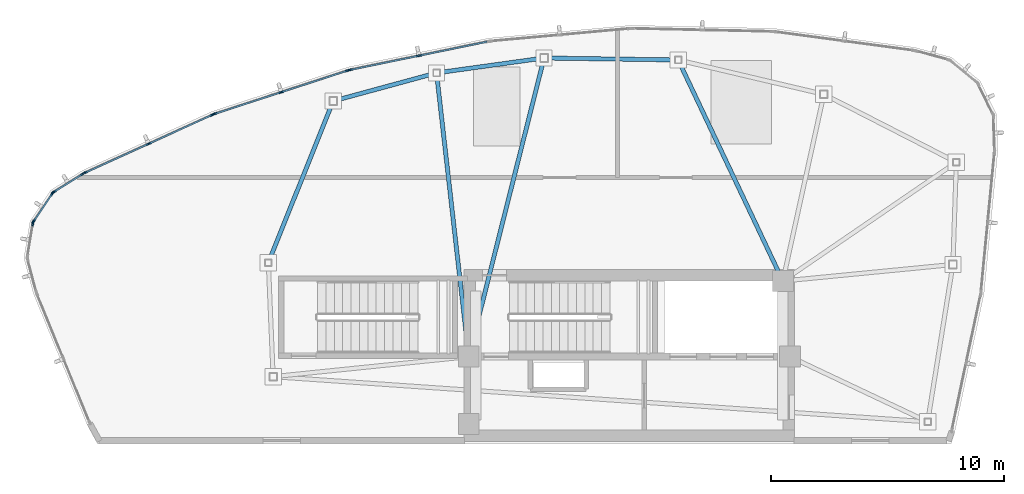
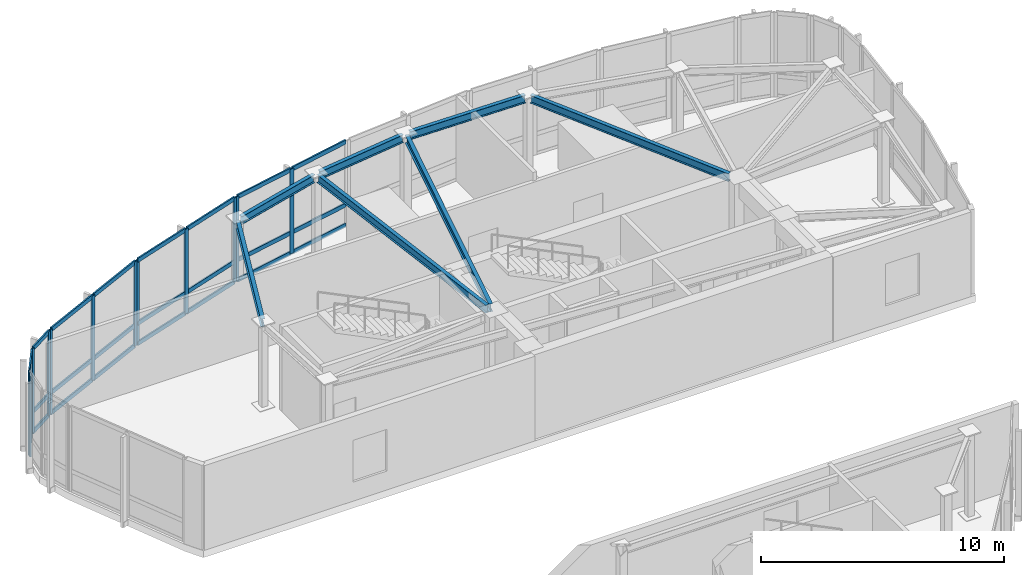
# One storey, part 6 of 16: 37 members, 7 beams, 6 elements without a shape of their own.
"""IFC4 building model written with IfcOpenShell, lengths in metres."""

from ifc_helpers import new_model, si_unit, direction, frame, origin, origin_2d, place, context, subcontext, project, spatial, hollow_rectangle, i_section, extrude, source, transform, mapped, material, layer, layer_set, material_profile, profile_set, type_object, type_shapes, element, aggregate, save


model = new_model("IFC4")

# Units and contexts
model_context = context("Model", 3, precision=1e-05, world=origin(), true_north=direction((0.0, 1.0)))
body_context = subcontext(model_context, "Body", "Model", "MODEL_VIEW")
ifc_project = project(units=[si_unit("LENGTHUNIT", "METRE"), si_unit("AREAUNIT", "SQUARE_METRE"), si_unit("VOLUMEUNIT", "CUBIC_METRE"), si_unit("PLANEANGLEUNIT", "RADIAN"), si_unit("MASSUNIT", "GRAM", prefix="KILO")], contexts=[model_context])

# Site, building, storey
site_placement = place(None, origin())
site = spatial("IfcSite", under=ifc_project, at=site_placement, CompositionType="ELEMENT")
building_placement = place(site_placement, origin())
building = spatial("IfcBuilding", under=site, at=building_placement, Name="Tavelor Broadcast Tower", CompositionType="ELEMENT")
storey_placement = place(building_placement, frame((0.0, 0.0, 336.699951171875)))
storey = spatial("IfcBuildingStorey", under=building, at=storey_placement, Name="L80", CompositionType="ELEMENT", Elevation=336.699951171875)

# Beams
ifc_material_1 = material(Name="Steel S355", Category="steel")
ifc_material_profile_1 = material_profile(ifc_material_1, i_section(OverallWidth=0.179931640625, OverallDepth=0.39990234375, WebThickness=0.008544921875, FlangeThickness=0.013427734375, at=origin_2d()), Name="IPE 400")
ifc_profile_set_1 = profile_set([ifc_material_profile_1], Name="Steel S355")
beam_type = type_object("IfcBeamType", Name="Crown Ring Spandrel Beam IPE400", PredefinedType="SPANDREL", material=ifc_profile_set_1)
beam_1_placement = place(storey_placement, frame((37.20654296875, 58.77197265625, 4.050048828125), z_axis=(-0.372319972441, -0.928104432767, 0.0), x_axis=(0.928104432767, -0.372319972441, 0.0)))
element("IfcBeam", 1, at=beam_1_placement, inside=storey, type_object=beam_type, Name="L80 Crown Peak A Ring Spandrel 1", PredefinedType="SPANDREL", context=body_context, shape_type="SweptSolid", body=[
    extrude(i_section(OverallWidth=0.179931640625, OverallDepth=0.39990234375, WebThickness=0.008544921875, FlangeThickness=0.013427734375, at=origin_2d()), origin(), (0.0, 0.0, 1.0), 7.1552734375),
])
beam_2_placement = place(storey_placement, frame((51.950927734375, 60.703857421875, 4.050048828125), z_axis=(-0.999890824975, 0.01477626921, 0.0), x_axis=(-0.01477626921, -0.999890824975, 0.0)))
element("IfcBeam", 2, at=beam_2_placement, inside=storey, type_object=beam_type, Name="L80 Crown Peak A Ring Spandrel 8", PredefinedType="SPANDREL", context=body_context, shape_type="SweptSolid", body=[
    extrude(i_section(OverallWidth=0.179931640625, OverallDepth=0.39990234375, WebThickness=0.008544921875, FlangeThickness=0.013427734375, at=origin_2d()), origin(), (0.0, 0.0, 1.0), 5.435791015625),
])
beam_3_placement = place(storey_placement, frame((56.415283203125, 51.590576171875, 4.050048828125), z_axis=(-0.427748000898, 0.903898029497, 0.0), x_axis=(-0.903898029497, -0.427748000898, 0.0)))
element("IfcBeam", 3, at=beam_3_placement, inside=storey, type_object=beam_type, Name="L80 Crown Peak A Radial Beam 8", PredefinedType="SPANDREL", context=body_context, shape_type="SweptSolid", body=[
    extrude(i_section(OverallWidth=0.179931640625, OverallDepth=0.39990234375, WebThickness=0.008544921875, FlangeThickness=0.013427734375, at=origin_2d()), origin(), (0.0, 0.0, 1.0), 9.926513671875),
])
beam_4_placement = place(storey_placement, frame((46.160400390625, 60.762451171875, 4.050048828125), z_axis=(-0.990512514029, -0.13742255838, 0.0), x_axis=(0.13742255838, -0.990512514029, 0.0)))
element("IfcBeam", 4, at=beam_4_placement, inside=storey, type_object=beam_type, Name="L80 Crown Peak A Ring Spandrel 9", PredefinedType="SPANDREL", context=body_context, shape_type="SweptSolid", body=[
    extrude(i_section(OverallWidth=0.179931640625, OverallDepth=0.39990234375, WebThickness=0.008544921875, FlangeThickness=0.013427734375, at=origin_2d()), origin(), (0.0, 0.0, 1.0), 4.334716796875),
])
beam_5_placement = place(storey_placement, frame((43.20556640625, 48.368896484375, 4.050048828125), z_axis=(0.244522996769, 0.969643493275, 0.0), x_axis=(-0.969643493275, 0.244522996769, 0.0)))
element("IfcBeam", 5, at=beam_5_placement, inside=storey, type_object=beam_type, Name="L80 Crown Peak A Radial Beam 9", PredefinedType="SPANDREL", context=body_context, shape_type="SweptSolid", body=[
    extrude(i_section(OverallWidth=0.179931640625, OverallDepth=0.39990234375, WebThickness=0.008544921875, FlangeThickness=0.013427734375, at=origin_2d()), origin(), (0.0, 0.0, 1.0), 12.628173828125),
])
beam_6_placement = place(storey_placement, frame((41.5673828125, 60.105712890625, 4.050048828125), z_axis=(-0.964933753027, -0.262493528053, 0.0), x_axis=(0.262493528053, -0.964933753027, 0.0)))
element("IfcBeam", 6, at=beam_6_placement, inside=storey, type_object=beam_type, Name="L80 Crown Peak A Ring Spandrel 10", PredefinedType="SPANDREL", context=body_context, shape_type="SweptSolid", body=[
    extrude(i_section(OverallWidth=0.179931640625, OverallDepth=0.39990234375, WebThickness=0.008544921875, FlangeThickness=0.013427734375, at=origin_2d()), origin(), (0.0, 0.0, 1.0), 4.27197265625),
])
beam_7_placement = place(storey_placement, frame((43.05126953125, 48.379150390625, 4.050048828125), z_axis=(-0.112824398256, 0.993614943103, 0.0), x_axis=(-0.993614943103, -0.112824398256, 0.0)))
element("IfcBeam", 7, at=beam_7_placement, inside=storey, type_object=beam_type, Name="L80 Crown Peak A Radial Beam 10", PredefinedType="SPANDREL", context=body_context, shape_type="SweptSolid", body=[
    extrude(i_section(OverallWidth=0.179931640625, OverallDepth=0.39990234375, WebThickness=0.008544921875, FlangeThickness=0.013427734375, at=origin_2d()), origin(), (0.0, 0.0, 1.0), 11.689453125),
])

# Curtain wall, members
ifc_material_2 = material(Name="Architectural Anodized Aluminium", Category="aluminium")
ifc_layer = layer(ifc_material_2, 0.2099609375)
ifc_layer_set = layer_set([ifc_layer], Name="Architectural Anodized Aluminium")
curtain_wall_type = type_object("IfcCurtainWallType", Name="Split-Crown Beacon Curtain Wall CW06", PredefinedType="NOTDEFINED", material=ifc_layer_set)
curtain_wall_1_placement = place(storey_placement, origin())
curtain_wall_1 = element("IfcCurtainWall", 8, at=curtain_wall_1_placement, inside=storey, type_object=curtain_wall_type, Name="L80 Curtain Wall CW06 Run 912", PredefinedType="NOTDEFINED")
ifc_material_profile_2 = material_profile(ifc_material_2, hollow_rectangle(XDim=0.072021484375, YDim=0.2099609375, WallThickness=0.02197265625, at=origin_2d()), Name="RHS 72x210x22")
ifc_profile_set_2 = profile_set([ifc_material_profile_2], Name="Architectural Anodized Aluminium")
member_type_1 = type_object("IfcMemberType", Name="CW06 Extruded Aluminium Mullion 72x210", PredefinedType="MULLION", material=ifc_profile_set_2)
shared_shape_1 = source(origin(), body_context, "Body", "SweptSolid", [
    extrude(hollow_rectangle(XDim=0.072021484375, YDim=0.2099609375, WallThickness=0.02197265625, at=origin_2d()), origin(), (0.0, 0.0, 1.0), 4.25),
])
type_shapes(member_type_1, [shared_shape_1])
member_1_placement = place(storey_placement, frame((40.9609375, 60.884765625, 0.0), z_axis=(0.0, 0.0, 1.0), x_axis=(0.201352725749, -0.979518800143, 0.0)))
member_1 = element("IfcMember", 9, at=member_1_placement, type_object=member_type_1, Name="CW06 mullion 2", PredefinedType="MULLION", context=body_context, shape_type="MappedRepresentation", body=[
    mapped(shared_shape_1, transform((0.0, 0.0, 0.0), scale=1.0)),
])
member_2_placement = place(storey_placement, frame((38.008544921875, 60.27783203125, 0.0), z_axis=(0.0, 0.0, 1.0), x_axis=(0.201352725749, -0.979518800143, 0.0)))
member_2 = element("IfcMember", 10, at=member_2_placement, type_object=member_type_1, Name="CW06 mullion 3", PredefinedType="MULLION", context=body_context, shape_type="MappedRepresentation", body=[
    mapped(shared_shape_1, transform((0.0, 0.0, 0.0), scale=1.0)),
])

curtain_wall_2_placement = place(storey_placement, origin())
curtain_wall_2 = element("IfcCurtainWall", 11, at=curtain_wall_2_placement, inside=storey, type_object=curtain_wall_type, Name="L80 Curtain Wall CW06 Run 913", PredefinedType="NOTDEFINED")
member_3_placement = place(storey_placement, frame((37.909912109375, 60.251708984375, 0.0), z_axis=(0.0, 0.0, 1.0), x_axis=(0.309822493929, -0.950794416399, 0.0)))
member_3 = element("IfcMember", 12, at=member_3_placement, type_object=member_type_1, Name="CW06 mullion 1", PredefinedType="MULLION", context=body_context, shape_type="MappedRepresentation", body=[
    mapped(shared_shape_1, transform((0.0, 0.0, 0.0), scale=1.0)),
])
member_4_placement = place(storey_placement, frame((35.044189453125, 59.31787109375, 0.0), z_axis=(0.0, 0.0, 1.0), x_axis=(0.309822493929, -0.950794416399, 0.0)))
member_4 = element("IfcMember", 13, at=member_4_placement, type_object=member_type_1, Name="CW06 mullion 2", PredefinedType="MULLION", context=body_context, shape_type="MappedRepresentation", body=[
    mapped(shared_shape_1, transform((0.0, 0.0, 0.0), scale=1.0)),
])
member_5_placement = place(storey_placement, frame((32.17822265625, 58.384033203125, 0.0), z_axis=(0.0, 0.0, 1.0), x_axis=(0.309822493929, -0.950794416399, 0.0)))
member_5 = element("IfcMember", 14, at=member_5_placement, type_object=member_type_1, Name="CW06 mullion 3", PredefinedType="MULLION", context=body_context, shape_type="MappedRepresentation", body=[
    mapped(shared_shape_1, transform((0.0, 0.0, 0.0), scale=1.0)),
])

curtain_wall_3_placement = place(storey_placement, origin())
curtain_wall_3 = element("IfcCurtainWall", 15, at=curtain_wall_3_placement, inside=storey, type_object=curtain_wall_type, Name="L80 Curtain Wall CW06 Run 914", PredefinedType="NOTDEFINED")
member_6_placement = place(storey_placement, frame((32.08349609375, 58.346923828125, 0.0), z_axis=(0.0, 0.0, 1.0), x_axis=(0.414367414215, -0.910109689014, 0.0)))
member_6 = element("IfcMember", 16, at=member_6_placement, type_object=member_type_1, Name="CW06 mullion 1", PredefinedType="MULLION", context=body_context, shape_type="MappedRepresentation", body=[
    mapped(shared_shape_1, transform((0.0, 0.0, 0.0), scale=1.0)),
])
member_7_placement = place(storey_placement, frame((29.3408203125, 57.098388671875, 0.0), z_axis=(0.0, 0.0, 1.0), x_axis=(0.414367414215, -0.910109689014, 0.0)))
member_7 = element("IfcMember", 17, at=member_7_placement, type_object=member_type_1, Name="CW06 mullion 2", PredefinedType="MULLION", context=body_context, shape_type="MappedRepresentation", body=[
    mapped(shared_shape_1, transform((0.0, 0.0, 0.0), scale=1.0)),
])
member_8_placement = place(storey_placement, frame((26.59814453125, 55.849609375, 0.0), z_axis=(0.0, 0.0, 1.0), x_axis=(0.414367414215, -0.910109689014, 0.0)))
member_8 = element("IfcMember", 18, at=member_8_placement, type_object=member_type_1, Name="CW06 mullion 3", PredefinedType="MULLION", context=body_context, shape_type="MappedRepresentation", body=[
    mapped(shared_shape_1, transform((0.0, 0.0, 0.0), scale=1.0)),
])

curtain_wall_4_placement = place(storey_placement, origin())
curtain_wall_4 = element("IfcCurtainWall", 19, at=curtain_wall_4_placement, inside=storey, type_object=curtain_wall_type, Name="L80 Curtain Wall CW06 Run 915", PredefinedType="NOTDEFINED")
member_9_placement = place(storey_placement, frame((26.508544921875, 55.801513671875, 0.0), z_axis=(0.0, 0.0, 1.0), x_axis=(0.529153297079, -0.848526244845, 0.0)))
member_9 = element("IfcMember", 20, at=member_9_placement, type_object=member_type_1, Name="CW06 mullion 1", PredefinedType="MULLION", context=body_context, shape_type="MappedRepresentation", body=[
    mapped(shared_shape_1, transform((0.0, 0.0, 0.0), scale=1.0)),
])
member_10_placement = place(storey_placement, frame((25.2705078125, 55.029296875, 0.0), z_axis=(0.0, 0.0, 1.0), x_axis=(0.529153297079, -0.848526244845, 0.0)))
member_10 = element("IfcMember", 21, at=member_10_placement, type_object=member_type_1, Name="CW06 mullion 2", PredefinedType="MULLION", context=body_context, shape_type="MappedRepresentation", body=[
    mapped(shared_shape_1, transform((0.0, 0.0, 0.0), scale=1.0)),
])

curtain_wall_5_placement = place(storey_placement, origin())
curtain_wall_5 = element("IfcCurtainWall", 22, at=curtain_wall_5_placement, inside=storey, type_object=curtain_wall_type, Name="L80 Curtain Wall CW06 Run 916", PredefinedType="NOTDEFINED")
member_11_placement = place(storey_placement, frame((25.19873046875, 54.9599609375, 0.0), z_axis=(0.0, 0.0, 1.0), x_axis=(0.831509961937, -0.555509840777, 0.0)))
member_11 = element("IfcMember", 23, at=member_11_placement, type_object=member_type_1, Name="CW06 mullion 1", PredefinedType="MULLION", context=body_context, shape_type="MappedRepresentation", body=[
    mapped(shared_shape_1, transform((0.0, 0.0, 0.0), scale=1.0)),
])
member_12_placement = place(storey_placement, frame((24.39990234375, 53.76416015625, 0.0), z_axis=(0.0, 0.0, 1.0), x_axis=(0.831509961937, -0.555509840777, 0.0)))
member_12 = element("IfcMember", 24, at=member_12_placement, type_object=member_type_1, Name="CW06 mullion 2", PredefinedType="MULLION", context=body_context, shape_type="MappedRepresentation", body=[
    mapped(shared_shape_1, transform((0.0, 0.0, 0.0), scale=1.0)),
])

# Curtain wall, member
curtain_wall_6_placement = place(storey_placement, origin())
curtain_wall_6 = element("IfcCurtainWall", 25, at=curtain_wall_6_placement, inside=storey, type_object=curtain_wall_type, Name="L80 Curtain Wall CW06 Run 917", PredefinedType="NOTDEFINED")
member_13_placement = place(storey_placement, frame((24.36328125, 53.67138671875, 0.0), z_axis=(0.0, 0.0, 1.0), x_axis=(0.98642433065, -0.164216442241, 0.0)))
member_13 = element("IfcMember", 26, at=member_13_placement, type_object=member_type_1, Name="CW06 mullion 1", PredefinedType="MULLION", context=body_context, shape_type="MappedRepresentation", body=[
    mapped(shared_shape_1, transform((0.0, 0.0, 0.0), scale=1.0)),
])
aggregate(curtain_wall_6, [member_13])

# Member
ifc_material_profile_3 = material_profile(ifc_material_2, hollow_rectangle(XDim=0.072021484375, YDim=0.2099609375, WallThickness=0.02197265625, at=origin_2d()), Name="RHS 72x210x22")
ifc_profile_set_3 = profile_set([ifc_material_profile_3], Name="Architectural Anodized Aluminium")
member_type_2 = type_object("IfcMemberType", Name="CW06 Extruded Aluminium Transom 72x210", PredefinedType="USERDEFINED", material=ifc_profile_set_3)
shared_shape_2 = source(origin(), body_context, "Body", "SweptSolid", [
    extrude(hollow_rectangle(XDim=0.072021484375, YDim=0.2099609375, WallThickness=0.02197265625, at=origin_2d()), origin(), (0.0, 0.0, 1.0), 2.941650390625),
])
member_14_placement = place(storey_placement, frame((32.05078125, 58.33203125, 0.0361328125), z_axis=(-0.910133262325, -0.414315634281, 0.0), x_axis=(0.414315634281, -0.910133262325, 0.0)))
member_14 = element("IfcMember", 27, at=member_14_placement, type_object=member_type_2, Name="CW06 transom 1.1", ObjectType="TRANSOM", PredefinedType="USERDEFINED", context=body_context, shape_type="MappedRepresentation", body=[
    mapped(shared_shape_2, transform((0.0, 0.0, 0.0), scale=1.0)),
])

member_15_placement = place(storey_placement, frame((32.05078125, 58.33203125, 1.050048828125), z_axis=(-0.910133262325, -0.414315634281, 0.0), x_axis=(0.414315634281, -0.910133262325, 0.0)))
member_15 = element("IfcMember", 28, at=member_15_placement, type_object=member_type_2, Name="CW06 transom 1.2", ObjectType="TRANSOM", PredefinedType="USERDEFINED", context=body_context, shape_type="MappedRepresentation", body=[
    mapped(shared_shape_2, transform((0.0, 0.0, 0.0), scale=1.0)),
])

member_16_placement = place(storey_placement, frame((32.05078125, 58.33203125, 4.214111328125), z_axis=(-0.910133262325, -0.414315634281, 0.0), x_axis=(0.414315634281, -0.910133262325, 0.0)))
member_16 = element("IfcMember", 29, at=member_16_placement, type_object=member_type_2, Name="CW06 transom 1.3", ObjectType="TRANSOM", PredefinedType="USERDEFINED", context=body_context, shape_type="MappedRepresentation", body=[
    mapped(shared_shape_2, transform((0.0, 0.0, 0.0), scale=1.0)),
])

shared_shape_3 = source(origin(), body_context, "Body", "SweptSolid", [
    extrude(hollow_rectangle(XDim=0.072021484375, YDim=0.2099609375, WallThickness=0.02197265625, at=origin_2d()), origin(), (0.0, 0.0, 1.0), 1.38720703125),
])
member_17_placement = place(storey_placement, frame((26.47802734375, 55.782470703125, 0.0361328125), z_axis=(-0.848482436336, -0.529223539942, 0.0), x_axis=(0.529223539942, -0.848482436336, 0.0)))
member_17 = element("IfcMember", 30, at=member_17_placement, type_object=member_type_2, Name="CW06 transom 1.1", ObjectType="TRANSOM", PredefinedType="USERDEFINED", context=body_context, shape_type="MappedRepresentation", body=[
    mapped(shared_shape_3, transform((0.0, 0.0, 0.0), scale=1.0)),
])

member_18_placement = place(storey_placement, frame((26.47802734375, 55.782470703125, 1.050048828125), z_axis=(-0.848482436336, -0.529223539942, 0.0), x_axis=(0.529223539942, -0.848482436336, 0.0)))
member_18 = element("IfcMember", 31, at=member_18_placement, type_object=member_type_2, Name="CW06 transom 1.2", ObjectType="TRANSOM", PredefinedType="USERDEFINED", context=body_context, shape_type="MappedRepresentation", body=[
    mapped(shared_shape_3, transform((0.0, 0.0, 0.0), scale=1.0)),
])

member_19_placement = place(storey_placement, frame((26.47802734375, 55.782470703125, 4.214111328125), z_axis=(-0.848482436336, -0.529223539942, 0.0), x_axis=(0.529223539942, -0.848482436336, 0.0)))
member_19 = element("IfcMember", 32, at=member_19_placement, type_object=member_type_2, Name="CW06 transom 1.3", ObjectType="TRANSOM", PredefinedType="USERDEFINED", context=body_context, shape_type="MappedRepresentation", body=[
    mapped(shared_shape_3, transform((0.0, 0.0, 0.0), scale=1.0)),
])

aggregate(curtain_wall_4, [member_9, member_10, member_17, member_18, member_19])

shared_shape_4 = source(origin(), body_context, "Body", "SweptSolid", [
    extrude(hollow_rectangle(XDim=0.072021484375, YDim=0.2099609375, WallThickness=0.02197265625, at=origin_2d()), origin(), (0.0, 0.0, 1.0), 1.365966796875),
])
member_20_placement = place(storey_placement, frame((25.1787109375, 54.929931640625, 0.0361328125), z_axis=(-0.555524878855, -0.831499915197, 0.0), x_axis=(0.831499915197, -0.555524878855, 0.0)))
member_20 = element("IfcMember", 33, at=member_20_placement, type_object=member_type_2, Name="CW06 transom 1.1", ObjectType="TRANSOM", PredefinedType="USERDEFINED", context=body_context, shape_type="MappedRepresentation", body=[
    mapped(shared_shape_4, transform((0.0, 0.0, 0.0), scale=1.0)),
])

member_21_placement = place(storey_placement, frame((25.1787109375, 54.929931640625, 1.050048828125), z_axis=(-0.555524878855, -0.831499915197, 0.0), x_axis=(0.831499915197, -0.555524878855, 0.0)))
member_21 = element("IfcMember", 34, at=member_21_placement, type_object=member_type_2, Name="CW06 transom 1.2", ObjectType="TRANSOM", PredefinedType="USERDEFINED", context=body_context, shape_type="MappedRepresentation", body=[
    mapped(shared_shape_4, transform((0.0, 0.0, 0.0), scale=1.0)),
])

member_22_placement = place(storey_placement, frame((25.1787109375, 54.929931640625, 4.214111328125), z_axis=(-0.555524878855, -0.831499915197, 0.0), x_axis=(0.831499915197, -0.555524878855, 0.0)))
member_22 = element("IfcMember", 35, at=member_22_placement, type_object=member_type_2, Name="CW06 transom 1.3", ObjectType="TRANSOM", PredefinedType="USERDEFINED", context=body_context, shape_type="MappedRepresentation", body=[
    mapped(shared_shape_4, transform((0.0, 0.0, 0.0), scale=1.0)),
])

aggregate(curtain_wall_5, [member_11, member_12, member_20, member_21, member_22])

shared_shape_5 = source(origin(), body_context, "Body", "SweptSolid", [
    extrude(hollow_rectangle(XDim=0.072021484375, YDim=0.2099609375, WallThickness=0.02197265625, at=origin_2d()), origin(), (0.0, 0.0, 1.0), 2.94140625),
])
member_23_placement = place(storey_placement, frame((29.30810546875, 57.08349609375, 0.0361328125), z_axis=(-0.91008771178, -0.414415681251, 0.0), x_axis=(0.414415681251, -0.91008771178, 0.0)))
member_23 = element("IfcMember", 36, at=member_23_placement, type_object=member_type_2, Name="CW06 transom 2.1", ObjectType="TRANSOM", PredefinedType="USERDEFINED", context=body_context, shape_type="MappedRepresentation", body=[
    mapped(shared_shape_5, transform((0.0, 0.0, 0.0), scale=1.0)),
])

member_24_placement = place(storey_placement, frame((29.30810546875, 57.08349609375, 1.050048828125), z_axis=(-0.91008771178, -0.414415681251, 0.0), x_axis=(0.414415681251, -0.91008771178, 0.0)))
member_24 = element("IfcMember", 37, at=member_24_placement, type_object=member_type_2, Name="CW06 transom 2.2", ObjectType="TRANSOM", PredefinedType="USERDEFINED", context=body_context, shape_type="MappedRepresentation", body=[
    mapped(shared_shape_5, transform((0.0, 0.0, 0.0), scale=1.0)),
])

member_25_placement = place(storey_placement, frame((29.30810546875, 57.08349609375, 4.214111328125), z_axis=(-0.91008771178, -0.414415681251, 0.0), x_axis=(0.414415681251, -0.91008771178, 0.0)))
member_25 = element("IfcMember", 38, at=member_25_placement, type_object=member_type_2, Name="CW06 transom 2.3", ObjectType="TRANSOM", PredefinedType="USERDEFINED", context=body_context, shape_type="MappedRepresentation", body=[
    mapped(shared_shape_5, transform((0.0, 0.0, 0.0), scale=1.0)),
])

aggregate(curtain_wall_3, [member_6, member_7, member_8, member_14, member_15, member_16, member_23, member_24, member_25])

shared_shape_6 = source(origin(), body_context, "Body", "SweptSolid", [
    extrude(hollow_rectangle(XDim=0.072021484375, YDim=0.2099609375, WallThickness=0.02197265625, at=origin_2d()), origin(), (0.0, 0.0, 1.0), 2.942138671875),
])
type_shapes(member_type_2, [shared_shape_2, shared_shape_3, shared_shape_4, shared_shape_5, shared_shape_6])
member_26_placement = place(storey_placement, frame((43.8779296875, 61.484375, 0.0361328125), z_axis=(-0.979510034723, -0.201395362104, 0.0), x_axis=(0.201395362104, -0.979510034723, 0.0)))
member_26 = element("IfcMember", 39, at=member_26_placement, type_object=member_type_2, Name="CW06 transom 1.1", ObjectType="TRANSOM", PredefinedType="USERDEFINED", context=body_context, shape_type="MappedRepresentation", body=[
    mapped(shared_shape_6, transform((0.0, 0.0, 0.0), scale=1.0)),
])

member_27_placement = place(storey_placement, frame((43.8779296875, 61.484375, 1.050048828125), z_axis=(-0.979510034723, -0.201395362104, 0.0), x_axis=(0.201395362104, -0.979510034723, 0.0)))
member_27 = element("IfcMember", 40, at=member_27_placement, type_object=member_type_2, Name="CW06 transom 1.2", ObjectType="TRANSOM", PredefinedType="USERDEFINED", context=body_context, shape_type="MappedRepresentation", body=[
    mapped(shared_shape_6, transform((0.0, 0.0, 0.0), scale=1.0)),
])

member_28_placement = place(storey_placement, frame((43.8779296875, 61.484375, 4.214111328125), z_axis=(-0.979510034723, -0.201395362104, 0.0), x_axis=(0.201395362104, -0.979510034723, 0.0)))
member_28 = element("IfcMember", 41, at=member_28_placement, type_object=member_type_2, Name="CW06 transom 1.3", ObjectType="TRANSOM", PredefinedType="USERDEFINED", context=body_context, shape_type="MappedRepresentation", body=[
    mapped(shared_shape_6, transform((0.0, 0.0, 0.0), scale=1.0)),
])

member_29_placement = place(storey_placement, frame((40.925537109375, 60.87744140625, 0.0361328125), z_axis=(-0.979510034723, -0.201395362104, 0.0), x_axis=(0.201395362104, -0.979510034723, 0.0)))
member_29 = element("IfcMember", 42, at=member_29_placement, type_object=member_type_2, Name="CW06 transom 2.1", ObjectType="TRANSOM", PredefinedType="USERDEFINED", context=body_context, shape_type="MappedRepresentation", body=[
    mapped(shared_shape_6, transform((0.0, 0.0, 0.0), scale=1.0)),
])

member_30_placement = place(storey_placement, frame((40.925537109375, 60.87744140625, 1.050048828125), z_axis=(-0.979510034723, -0.201395362104, 0.0), x_axis=(0.201395362104, -0.979510034723, 0.0)))
member_30 = element("IfcMember", 43, at=member_30_placement, type_object=member_type_2, Name="CW06 transom 2.2", ObjectType="TRANSOM", PredefinedType="USERDEFINED", context=body_context, shape_type="MappedRepresentation", body=[
    mapped(shared_shape_6, transform((0.0, 0.0, 0.0), scale=1.0)),
])

member_31_placement = place(storey_placement, frame((40.925537109375, 60.87744140625, 4.214111328125), z_axis=(-0.979510034723, -0.201395362104, 0.0), x_axis=(0.201395362104, -0.979510034723, 0.0)))
member_31 = element("IfcMember", 44, at=member_31_placement, type_object=member_type_2, Name="CW06 transom 2.3", ObjectType="TRANSOM", PredefinedType="USERDEFINED", context=body_context, shape_type="MappedRepresentation", body=[
    mapped(shared_shape_6, transform((0.0, 0.0, 0.0), scale=1.0)),
])

aggregate(curtain_wall_1, [member_1, member_2, member_26, member_27, member_28, member_29, member_30, member_31])

member_32_placement = place(storey_placement, frame((37.875732421875, 60.240478515625, 0.0361328125), z_axis=(-0.950786183612, -0.309847757864, 0.0), x_axis=(0.309847757864, -0.950786183612, 0.0)))
member_32 = element("IfcMember", 45, at=member_32_placement, type_object=member_type_2, Name="CW06 transom 1.1", ObjectType="TRANSOM", PredefinedType="USERDEFINED", context=body_context, shape_type="MappedRepresentation", body=[
    mapped(shared_shape_6, transform((0.0, 0.0, 0.0), scale=1.0)),
])

member_33_placement = place(storey_placement, frame((37.875732421875, 60.240478515625, 1.050048828125), z_axis=(-0.950786183612, -0.309847757864, 0.0), x_axis=(0.309847757864, -0.950786183612, 0.0)))
member_33 = element("IfcMember", 46, at=member_33_placement, type_object=member_type_2, Name="CW06 transom 1.2", ObjectType="TRANSOM", PredefinedType="USERDEFINED", context=body_context, shape_type="MappedRepresentation", body=[
    mapped(shared_shape_6, transform((0.0, 0.0, 0.0), scale=1.0)),
])

member_34_placement = place(storey_placement, frame((37.875732421875, 60.240478515625, 4.214111328125), z_axis=(-0.950786183612, -0.309847757864, 0.0), x_axis=(0.309847757864, -0.950786183612, 0.0)))
member_34 = element("IfcMember", 47, at=member_34_placement, type_object=member_type_2, Name="CW06 transom 1.3", ObjectType="TRANSOM", PredefinedType="USERDEFINED", context=body_context, shape_type="MappedRepresentation", body=[
    mapped(shared_shape_6, transform((0.0, 0.0, 0.0), scale=1.0)),
])

member_35_placement = place(storey_placement, frame((35.010009765625, 59.306640625, 0.0361328125), z_axis=(-0.950786183612, -0.309847757864, 0.0), x_axis=(0.309847757864, -0.950786183612, 0.0)))
member_35 = element("IfcMember", 48, at=member_35_placement, type_object=member_type_2, Name="CW06 transom 2.1", ObjectType="TRANSOM", PredefinedType="USERDEFINED", context=body_context, shape_type="MappedRepresentation", body=[
    mapped(shared_shape_6, transform((0.0, 0.0, 0.0), scale=1.0)),
])

member_36_placement = place(storey_placement, frame((35.010009765625, 59.306640625, 1.050048828125), z_axis=(-0.950786183612, -0.309847757864, 0.0), x_axis=(0.309847757864, -0.950786183612, 0.0)))
member_36 = element("IfcMember", 49, at=member_36_placement, type_object=member_type_2, Name="CW06 transom 2.2", ObjectType="TRANSOM", PredefinedType="USERDEFINED", context=body_context, shape_type="MappedRepresentation", body=[
    mapped(shared_shape_6, transform((0.0, 0.0, 0.0), scale=1.0)),
])

member_37_placement = place(storey_placement, frame((35.010009765625, 59.306640625, 4.214111328125), z_axis=(-0.950786183612, -0.309847757864, 0.0), x_axis=(0.309847757864, -0.950786183612, 0.0)))
member_37 = element("IfcMember", 50, at=member_37_placement, type_object=member_type_2, Name="CW06 transom 2.3", ObjectType="TRANSOM", PredefinedType="USERDEFINED", context=body_context, shape_type="MappedRepresentation", body=[
    mapped(shared_shape_6, transform((0.0, 0.0, 0.0), scale=1.0)),
])

aggregate(curtain_wall_2, [member_3, member_4, member_5, member_32, member_33, member_34, member_35, member_36, member_37])

save(model, "model.ifc")
